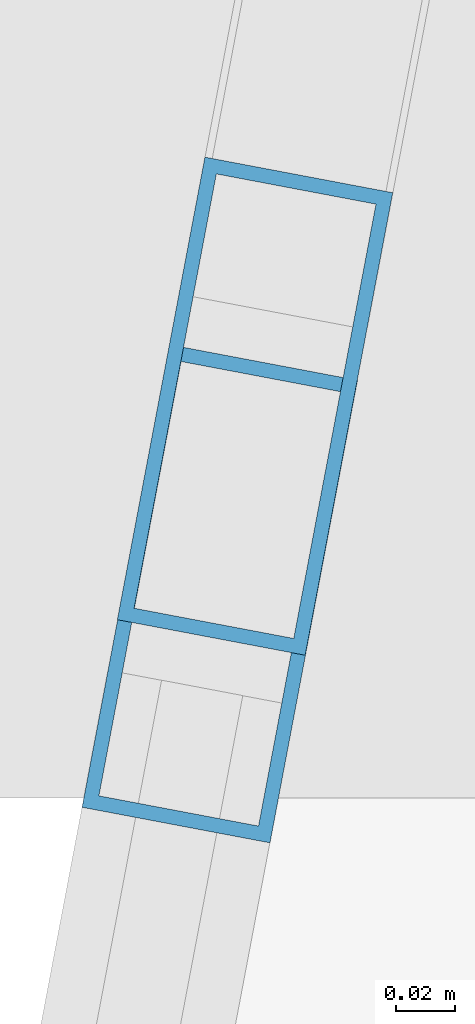
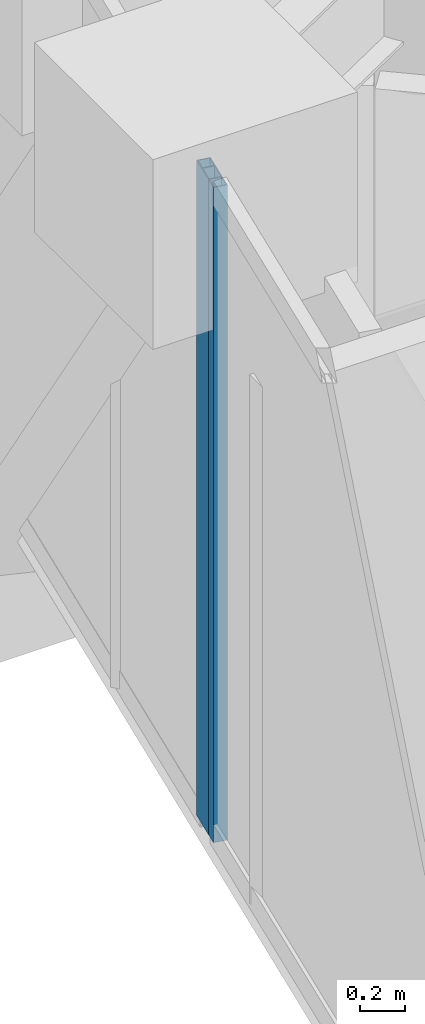
# One storey, part 5 of 24: 2 members, 2 elements without a shape of their own.
"""IFC4 building model written with IfcOpenShell, lengths in metres."""

from ifc_helpers import new_model, si_unit, direction, frame, origin, origin_2d, place, context, subcontext, project, spatial, hollow_rectangle, extrude, material, layer, layer_set, material_profile, profile_set, type_object, element, aggregate, save


model = new_model("IFC4")

# Units and contexts
model_context = context("Model", 3, precision=1e-05, world=origin(), true_north=direction((0.0, 1.0)))
body_context = subcontext(model_context, "Body", "Model", "MODEL_VIEW")
ifc_project = project(units=[si_unit("LENGTHUNIT", "METRE"), si_unit("AREAUNIT", "SQUARE_METRE"), si_unit("VOLUMEUNIT", "CUBIC_METRE"), si_unit("PLANEANGLEUNIT", "RADIAN"), si_unit("MASSUNIT", "GRAM", prefix="KILO")], contexts=[model_context])

# Site, building, storey
site_placement = place(None, origin())
site = spatial("IfcSite", under=ifc_project, at=site_placement, CompositionType="ELEMENT")
building_placement = place(site_placement, origin())
building = spatial("IfcBuilding", under=site, at=building_placement, Name="Qianvela Tower", CompositionType="ELEMENT")
storey_placement = place(building_placement, frame((0.0, 0.0, 101.5)))
storey = spatial("IfcBuildingStorey", under=building, at=storey_placement, Name="L25", CompositionType="ELEMENT", Elevation=101.5)

# Curtain wall, member
ifc_material_1 = material(Name="Anodised Architectural Aluminium and Insulated Spandrel Panel", Category="aluminium")
ifc_layer_1 = layer(ifc_material_1, 0.179931640625)
ifc_layer_set_1 = layer_set([ifc_layer_1], Name="Anodised Architectural Aluminium and Insulated Spandrel Panel")
curtain_wall_type_1 = type_object("IfcCurtainWallType", Name="CW-BRACEBAY", PredefinedType="USERDEFINED", material=ifc_layer_set_1)
curtain_wall_1_placement = place(storey_placement, origin())
curtain_wall_1 = element("IfcCurtainWall", 1, at=curtain_wall_1_placement, inside=storey, type_object=curtain_wall_type_1, Name="L25 CW-BRACEBAY Curtain Wall 04B", ObjectType="CURTAIN_WALL_SYSTEM", PredefinedType="USERDEFINED")
ifc_material_2 = material(Name="Anodised Architectural Aluminium 6063-T6", Category="aluminium")
ifc_material_profile_1 = material_profile(ifc_material_2, hollow_rectangle(XDim=0.06494140625, YDim=0.159912109375, WallThickness=0.0048828125, at=origin_2d()), Name="ALU-MULL-65x160")
ifc_profile_set_1 = profile_set([ifc_material_profile_1], Name="Anodised Architectural Aluminium 6063-T6")
member_type_1 = type_object("IfcMemberType", Name="CW-BRACEBAY-MULL", PredefinedType="MULLION", material=ifc_profile_set_1)
member_1_placement = place(storey_placement, frame((20.635986328125, 25.926513671875, 0.0), z_axis=(0.0, 0.0, 1.0), x_axis=(0.982547525402, -0.186011720937, 0.0)))
member_1 = element("IfcMember", 2, at=member_1_placement, type_object=member_type_1, Name="CW-9 mullion 2", PredefinedType="MULLION", context=body_context, shape_type="SweptSolid", body=[
    extrude(hollow_rectangle(XDim=0.06494140625, YDim=0.159912109375, WallThickness=0.0048828125, at=origin_2d()), origin(), (0.0, 0.0, 1.0), 3.52001953125),
])
aggregate(curtain_wall_1, [member_1])

ifc_material_3 = material(Name="Anodised Architectural Aluminium and Low-E Glass", Category="aluminium")
ifc_layer_2 = layer(ifc_material_3, 0.169921875)
ifc_layer_set_2 = layer_set([ifc_layer_2], Name="Anodised Architectural Aluminium and Low-E Glass")
curtain_wall_type_2 = type_object("IfcCurtainWallType", Name="CW-COLIV-Z34", PredefinedType="USERDEFINED", material=ifc_layer_set_2)
curtain_wall_2_placement = place(storey_placement, origin())
curtain_wall_2 = element("IfcCurtainWall", 3, at=curtain_wall_2_placement, inside=storey, type_object=curtain_wall_type_2, Name="L25 CW-COLIV-Z34 Curtain Wall 04C", ObjectType="CURTAIN_WALL_SYSTEM", PredefinedType="USERDEFINED")
ifc_material_4 = material(Name="Anodised Architectural Aluminium 6063-T6", Category="aluminium")
ifc_material_profile_2 = material_profile(ifc_material_4, hollow_rectangle(XDim=0.06494140625, YDim=0.159912109375, WallThickness=0.0048828125, at=origin_2d()), Name="ALU-MULL-65x160")
ifc_profile_set_2 = profile_set([ifc_material_profile_2], Name="Anodised Architectural Aluminium 6063-T6")
member_type_2 = type_object("IfcMemberType", Name="CW-COLIV-Z34-MULL", PredefinedType="MULLION", material=ifc_profile_set_2)
member_2_placement = place(storey_placement, frame((20.6240234375, 25.86279296875, 0.0), z_axis=(0.0, 0.0, 1.0), x_axis=(0.982549468415, -0.186001457299, 0.0)))
member_2 = element("IfcMember", 4, at=member_2_placement, type_object=member_type_2, Name="CW-4 mullion 1", PredefinedType="MULLION", context=body_context, shape_type="SweptSolid", body=[
    extrude(hollow_rectangle(XDim=0.06494140625, YDim=0.159912109375, WallThickness=0.0048828125, at=origin_2d()), origin(), (0.0, 0.0, 1.0), 3.52001953125),
])
aggregate(curtain_wall_2, [member_2])

save(model, "model.ifc")
